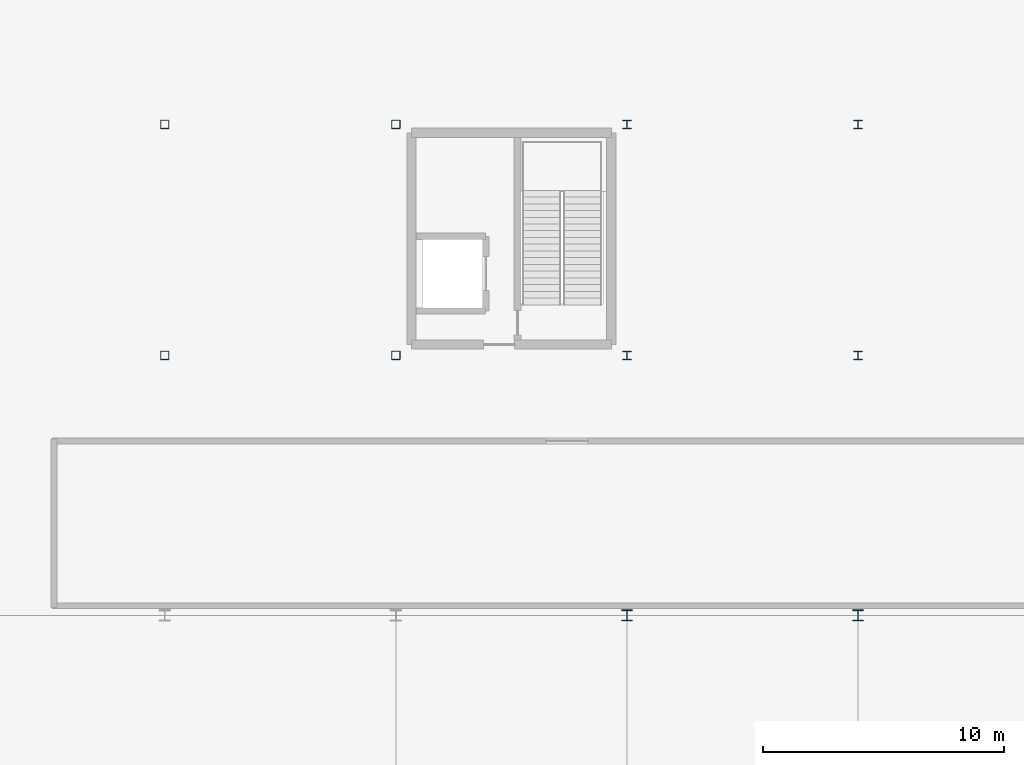
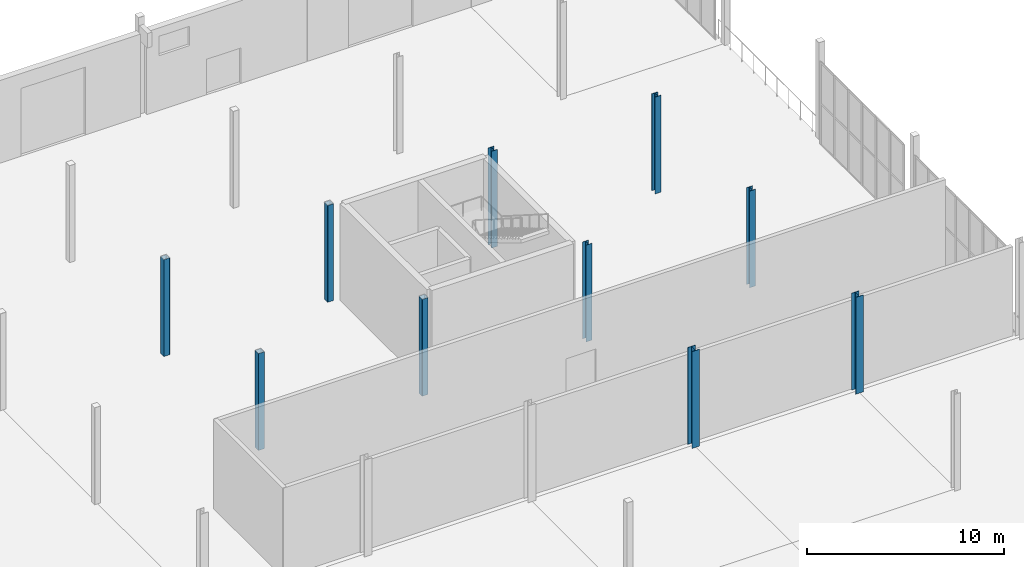
# One storey, part 15 of 139: 10 columns.
"""IFC4 building model written with IfcOpenShell, lengths in metres."""

from ifc_helpers import new_model, si_unit, direction, frame, origin, origin_2d, place, context, subcontext, project, spatial, hollow_rectangle, i_section, extrude, material, material_profile, profile_set, type_object, element, save


model = new_model("IFC4")

# Units and contexts
model_context = context("Model", 3, precision=1e-05, world=origin(), true_north=direction((0.0, 1.0)))
body_context = subcontext(model_context, "Body", "Model", "MODEL_VIEW")
ifc_project = project(units=[si_unit("LENGTHUNIT", "METRE"), si_unit("AREAUNIT", "SQUARE_METRE"), si_unit("VOLUMEUNIT", "CUBIC_METRE"), si_unit("PLANEANGLEUNIT", "RADIAN"), si_unit("MASSUNIT", "GRAM", prefix="KILO")], contexts=[model_context])

# Site, building, storey
site_placement = place(None, origin())
site = spatial("IfcSite", under=ifc_project, at=site_placement, CompositionType="ELEMENT")
building_placement = place(site_placement, origin())
building = spatial("IfcBuilding", under=site, at=building_placement, Name="Yeouljin Market Hall", CompositionType="ELEMENT")
storey_placement = place(building_placement, origin())
storey = spatial("IfcBuildingStorey", under=building, at=storey_placement, Name="L00", CompositionType="ELEMENT", Elevation=0.0)

# Columns
ifc_material_1 = material(Name="Steel SM355", Category="steel")
ifc_material_profile_1 = material_profile(ifc_material_1, i_section(OverallWidth=0.35009765625, OverallDepth=0.35009765625, WebThickness=0.011962890625, FlangeThickness=0.01904296875, FilletRadius=0.02001953125, at=origin_2d()), Name="H-350x350x12x19")
ifc_profile_set_1 = profile_set([ifc_material_profile_1], Name="Steel SM355")
column_type_1 = type_object("IfcColumnType", Name="Col_H-350x350x12x19", PredefinedType="COLUMN", material=ifc_profile_set_1)
for number, where, z_axis, x_axis, name in (
    (1, (112.199951171875, 88.800048828125, 0.0), (0.0, 0.0, 1.0), (1.0, 0.0, 0.0), "Column G-13-09 (L00)"),
    (2, (112.199951171875, 98.39990234375, 0.0), (0.0, 0.0, 1.0), (1.0, 0.0, 0.0), "Column G-13-10 (L00)"),
    (3, (121.800048828125, 88.800048828125, 0.0), (0.0, 0.0, 1.0), (1.0, 0.0, 0.0), "Column G-14-09 (L00)"),
    (4, (121.800048828125, 98.39990234375, 0.0), (0.0, 0.0, 1.0), (1.0, 0.0, 0.0), "Column G-14-10 (L00)"),
):
    element("IfcColumn", number, at=place(storey_placement, frame(where, z_axis=z_axis, x_axis=x_axis)), inside=storey, type_object=column_type_1, Name=name, PredefinedType="COLUMN", context=body_context, shape_type="SweptSolid", body=[
        extrude(i_section(OverallWidth=0.35009765625, OverallDepth=0.35009765625, WebThickness=0.011962890625, FlangeThickness=0.01904296875, FilletRadius=0.02001953125, at=origin_2d()), origin(), (0.0, 0.0, 1.0), 6.0),
    ])
ifc_material_2 = material(Name="Steel SM355", Category="steel")
ifc_material_profile_2 = material_profile(ifc_material_2, i_section(OverallWidth=0.449951171875, OverallDepth=0.449951171875, WebThickness=0.013916015625, FlangeThickness=0.02392578125, FilletRadius=0.02392578125, at=origin_2d()), Name="H-450x450x14x24")
ifc_profile_set_2 = profile_set([ifc_material_profile_2], Name="Steel SM355")
column_type_2 = type_object("IfcColumnType", Name="Col_H-450x450x14x24", PredefinedType="COLUMN", material=ifc_profile_set_2)
for number, where, z_axis, x_axis, name in (
    (5, (112.199951171875, 78.0, 0.0), (0.0, 0.0, 1.0), (1.0, 0.0, 0.0), "Column G-13-08 (L00)"),
    (6, (121.800048828125, 78.0, 0.0), (0.0, 0.0, 1.0), (1.0, 0.0, 0.0), "Column G-14-08 (L00)"),
):
    element("IfcColumn", number, at=place(storey_placement, frame(where, z_axis=z_axis, x_axis=x_axis)), inside=storey, type_object=column_type_2, Name=name, PredefinedType="COLUMN", context=body_context, shape_type="SweptSolid", body=[
        extrude(i_section(OverallWidth=0.449951171875, OverallDepth=0.449951171875, WebThickness=0.013916015625, FlangeThickness=0.02392578125, FilletRadius=0.02392578125, at=origin_2d()), origin(), (0.0, 0.0, 1.0), 6.0),
    ])
ifc_material_3 = material(Name="Steel SM355", Category="steel")
ifc_material_profile_3 = material_profile(ifc_material_3, hollow_rectangle(XDim=0.35009765625, YDim=0.35009765625, WallThickness=0.011962890625, InnerFilletRadius=0.011962890625, OuterFilletRadius=0.01611328125, at=origin_2d()), Name="SHS-350x350x12")
ifc_profile_set_3 = profile_set([ifc_material_profile_3], Name="Steel SM355")
column_type_3 = type_object("IfcColumnType", Name="Col_SHS-350x350x12", PredefinedType="COLUMN", material=ifc_profile_set_3)
for number, where, z_axis, x_axis, name in (
    (7, (93.0, 88.800048828125, 0.0), (0.0, 0.0, 1.0), (1.0, 0.0, 0.0), "Column G-11-09 (L00)"),
    (8, (93.0, 98.39990234375, 0.0), (0.0, 0.0, 1.0), (1.0, 0.0, 0.0), "Column G-11-10 (L00)"),
    (9, (102.60009765625, 88.800048828125, 0.0), (0.0, 0.0, 1.0), (1.0, 0.0, 0.0), "Column G-12-09 (L00)"),
    (10, (102.60009765625, 98.39990234375, 0.0), (0.0, 0.0, 1.0), (1.0, 0.0, 0.0), "Column G-12-10 (L00)"),
):
    element("IfcColumn", number, at=place(storey_placement, frame(where, z_axis=z_axis, x_axis=x_axis)), inside=storey, type_object=column_type_3, Name=name, PredefinedType="COLUMN", context=body_context, shape_type="SweptSolid", body=[
        extrude(hollow_rectangle(XDim=0.35009765625, YDim=0.35009765625, WallThickness=0.011962890625, InnerFilletRadius=0.011962890625, OuterFilletRadius=0.01611328125, at=origin_2d()), origin(), (0.0, 0.0, 1.0), 6.0),
    ])

save(model, "model.ifc")
